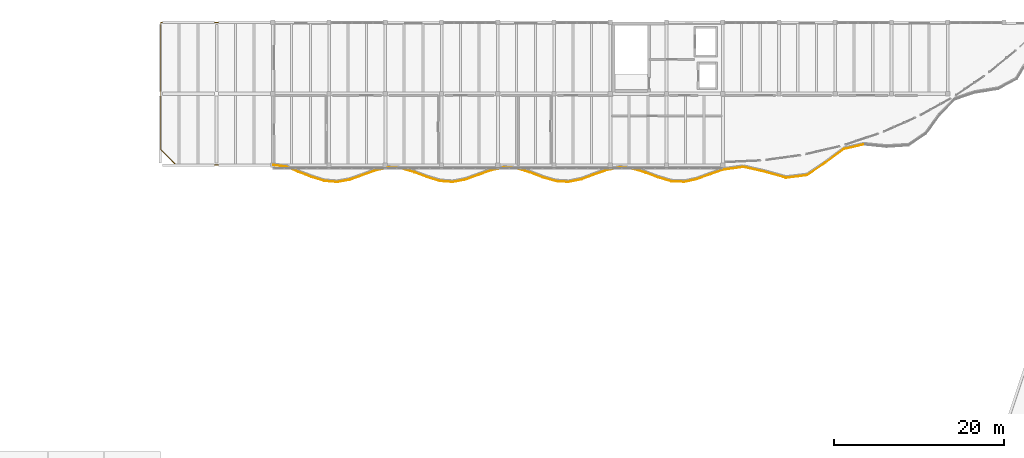
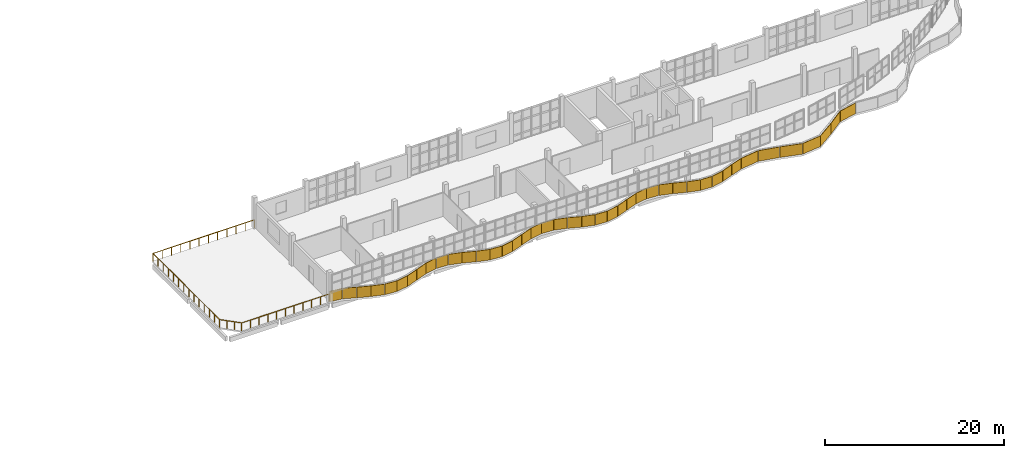
# One storey, part 44 of 47: 42 coverings, 1 railing.
"""IFC4 building model written with IfcOpenShell, lengths in metres."""

from ifc_helpers import new_model, si_unit, direction, frame, origin, origin_2d, place, context, subcontext, project, spatial, rectangle, circle, extrude, material, layer, layer_set, type_object, element, save


model = new_model("IFC4")

# Units and contexts
model_context = context("Model", 3, precision=1e-05, world=origin(), true_north=direction((0.0, 1.0)))
body_context = subcontext(model_context, "Body", "Model", "MODEL_VIEW")
ifc_project = project(units=[si_unit("LENGTHUNIT", "METRE"), si_unit("AREAUNIT", "SQUARE_METRE"), si_unit("VOLUMEUNIT", "CUBIC_METRE"), si_unit("PLANEANGLEUNIT", "RADIAN"), si_unit("MASSUNIT", "GRAM", prefix="KILO")], contexts=[model_context])

# Site, building, storey
site_placement = place(None, origin())
site = spatial("IfcSite", under=ifc_project, at=site_placement, CompositionType="ELEMENT")
building_placement = place(site_placement, origin())
building = spatial("IfcBuilding", under=site, at=building_placement, Name="Qaldarim Faculty of Natural and Applied Sciences", CompositionType="ELEMENT")
storey_placement = place(building_placement, frame((0.0, 0.0, 22.800048828125)))
storey = spatial("IfcBuildingStorey", under=building, at=storey_placement, Name="L05", CompositionType="ELEMENT", Elevation=22.800048828125)

# Railing
ifc_material_1 = material(Name="Architectural stainless steel 316", Category="steel")
railing_type = type_object("IfcRailingType", Name="ExteriorGuardBalustrade-1100", PredefinedType="BALUSTRADE", material=ifc_material_1)
railing_placement = place(storey_placement, frame((59.35009765625, 100.85009765625, 0.0)))
element("IfcRailing", 1, at=railing_placement, inside=storey, type_object=railing_type, Name="Safety guard balustrade GRD-TER-L05-V4S", PredefinedType="BALUSTRADE", context=body_context, shape_type="SweptSolid", body=[
    extrude(circle(Radius=0.02392578125, at=origin_2d()), frame((-0.00390625, 0.0, 1.076171875), z_axis=(-1.0, 0.0, 0.0), x_axis=(0.0, -1.0, 0.0)), (0.0, 0.0, 1.0), 11.2919921875),
    extrude(circle(Radius=0.02392578125, at=origin_2d()), frame((-11.302978515625, 0.0029296875, 1.076171875), z_axis=(-0.707154735259, 0.707058823862, 0.0), x_axis=(-0.707058823862, -0.707154735259, 0.0)), (0.0, 0.0, 1.0), 2.53759765625),
    extrude(circle(Radius=0.02392578125, at=origin_2d()), frame((-13.10009765625, 1.8037109375, 1.076171875), z_axis=(0.0, 1.0, 0.0), x_axis=(-1.0, 0.0, 0.0)), (0.0, 0.0, 1.0), 14.89208984375),
    extrude(circle(Radius=0.02392578125, at=origin_2d()), frame((-13.09619140625, 16.699951171875, 1.076171875), z_axis=(1.0, 0.0, 0.0), x_axis=(0.0, 1.0, 0.0)), (0.0, 0.0, 1.0), 13.092041015625),
    extrude(circle(Radius=0.02099609375, at=origin_2d()), origin(), (0.0, 0.0, 1.0), 1.052001953125),
    extrude(circle(Radius=0.02099609375, at=origin_2d()), frame((-1.1298828125, 0.0, 0.0)), (0.0, 0.0, 1.0), 1.052001953125),
    extrude(circle(Radius=0.02099609375, at=origin_2d()), frame((-2.260009765625, 0.0, 0.0)), (0.0, 0.0, 1.0), 1.052001953125),
    extrude(circle(Radius=0.02099609375, at=origin_2d()), frame((-3.39013671875, 0.0, 0.0)), (0.0, 0.0, 1.0), 1.052001953125),
    extrude(circle(Radius=0.02099609375, at=origin_2d()), frame((-4.52001953125, 0.0, 0.0)), (0.0, 0.0, 1.0), 1.052001953125),
    extrude(circle(Radius=0.02099609375, at=origin_2d()), frame((-5.64990234375, 0.0, 0.0)), (0.0, 0.0, 1.0), 1.052001953125),
    extrude(circle(Radius=0.02099609375, at=origin_2d()), frame((-6.780029296875, 0.0, 0.0)), (0.0, 0.0, 1.0), 1.052001953125),
    extrude(circle(Radius=0.02099609375, at=origin_2d()), frame((-7.909912109375, 0.0, 0.0)), (0.0, 0.0, 1.0), 1.052001953125),
    extrude(circle(Radius=0.02099609375, at=origin_2d()), frame((-9.0400390625, 0.0, 0.0)), (0.0, 0.0, 1.0), 1.052001953125),
    extrude(circle(Radius=0.02099609375, at=origin_2d()), frame((-10.169921875, 0.0, 0.0)), (0.0, 0.0, 1.0), 1.052001953125),
    extrude(circle(Radius=0.02099609375, at=origin_2d()), frame((-11.300048828125, 0.0, 0.0)), (0.0, 0.0, 1.0), 1.052001953125),
    extrude(circle(Radius=0.02099609375, at=origin_2d()), frame((-11.900146484375, 0.599853515625, 0.0)), (0.0, 0.0, 1.0), 1.052001953125),
    extrude(circle(Radius=0.02099609375, at=origin_2d()), frame((-12.5, 1.199951171875, 0.0)), (0.0, 0.0, 1.0), 1.052001953125),
    extrude(circle(Radius=0.02099609375, at=origin_2d()), frame((-13.10009765625, 1.7998046875, 0.0)), (0.0, 0.0, 1.0), 1.052001953125),
    extrude(circle(Radius=0.02099609375, at=origin_2d()), frame((-13.10009765625, 2.946044921875, 0.0)), (0.0, 0.0, 1.0), 1.052001953125),
    extrude(circle(Radius=0.02099609375, at=origin_2d()), frame((-13.10009765625, 4.092041015625, 0.0)), (0.0, 0.0, 1.0), 1.052001953125),
    extrude(circle(Radius=0.02099609375, at=origin_2d()), frame((-13.10009765625, 5.23828125, 0.0)), (0.0, 0.0, 1.0), 1.052001953125),
    extrude(circle(Radius=0.02099609375, at=origin_2d()), frame((-13.10009765625, 6.384521484375, 0.0)), (0.0, 0.0, 1.0), 1.052001953125),
    extrude(circle(Radius=0.02099609375, at=origin_2d()), frame((-13.10009765625, 7.530517578125, 0.0)), (0.0, 0.0, 1.0), 1.052001953125),
    extrude(circle(Radius=0.02099609375, at=origin_2d()), frame((-13.10009765625, 8.6767578125, 0.0)), (0.0, 0.0, 1.0), 1.052001953125),
    extrude(circle(Radius=0.02099609375, at=origin_2d()), frame((-13.10009765625, 9.822998046875, 0.0)), (0.0, 0.0, 1.0), 1.052001953125),
    extrude(circle(Radius=0.02099609375, at=origin_2d()), frame((-13.10009765625, 10.96923828125, 0.0)), (0.0, 0.0, 1.0), 1.052001953125),
    extrude(circle(Radius=0.02099609375, at=origin_2d()), frame((-13.10009765625, 12.115234375, 0.0)), (0.0, 0.0, 1.0), 1.052001953125),
    extrude(circle(Radius=0.02099609375, at=origin_2d()), frame((-13.10009765625, 13.261474609375, 0.0)), (0.0, 0.0, 1.0), 1.052001953125),
    extrude(circle(Radius=0.02099609375, at=origin_2d()), frame((-13.10009765625, 14.40771484375, 0.0)), (0.0, 0.0, 1.0), 1.052001953125),
    extrude(circle(Radius=0.02099609375, at=origin_2d()), frame((-13.10009765625, 15.5537109375, 0.0)), (0.0, 0.0, 1.0), 1.052001953125),
    extrude(circle(Radius=0.02099609375, at=origin_2d()), frame((-13.10009765625, 16.699951171875, 0.0)), (0.0, 0.0, 1.0), 1.052001953125),
    extrude(circle(Radius=0.02099609375, at=origin_2d()), frame((-11.9091796875, 16.699951171875, 0.0)), (0.0, 0.0, 1.0), 1.052001953125),
    extrude(circle(Radius=0.02099609375, at=origin_2d()), frame((-10.71826171875, 16.699951171875, 0.0)), (0.0, 0.0, 1.0), 1.052001953125),
    extrude(circle(Radius=0.02099609375, at=origin_2d()), frame((-9.52734375, 16.699951171875, 0.0)), (0.0, 0.0, 1.0), 1.052001953125),
    extrude(circle(Radius=0.02099609375, at=origin_2d()), frame((-8.33642578125, 16.699951171875, 0.0)), (0.0, 0.0, 1.0), 1.052001953125),
    extrude(circle(Radius=0.02099609375, at=origin_2d()), frame((-7.1455078125, 16.699951171875, 0.0)), (0.0, 0.0, 1.0), 1.052001953125),
    extrude(circle(Radius=0.02099609375, at=origin_2d()), frame((-5.95458984375, 16.699951171875, 0.0)), (0.0, 0.0, 1.0), 1.052001953125),
    extrude(circle(Radius=0.02099609375, at=origin_2d()), frame((-4.763671875, 16.699951171875, 0.0)), (0.0, 0.0, 1.0), 1.052001953125),
    extrude(circle(Radius=0.02099609375, at=origin_2d()), frame((-3.57275390625, 16.699951171875, 0.0)), (0.0, 0.0, 1.0), 1.052001953125),
    extrude(circle(Radius=0.02099609375, at=origin_2d()), frame((-2.3818359375, 16.699951171875, 0.0)), (0.0, 0.0, 1.0), 1.052001953125),
    extrude(circle(Radius=0.02099609375, at=origin_2d()), frame((-1.19091796875, 16.699951171875, 0.0)), (0.0, 0.0, 1.0), 1.052001953125),
    extrude(circle(Radius=0.02099609375, at=origin_2d()), frame((0.0, 16.699951171875, 0.0)), (0.0, 0.0, 1.0), 1.052001953125),
])

# Coverings
ifc_material_2 = material(Name="White architectural precast concrete C40/50", Category="concrete")
ifc_layer = layer(ifc_material_2, 0.06005859375)
ifc_layer_set = layer_set([ifc_layer], Name="White architectural precast concrete C40/50")
covering_type = type_object("IfcCoveringType", Name="LimestoneSpandrelCladding-60", PredefinedType="CLADDING", material=ifc_layer_set)
covering_1_placement = place(storey_placement, frame((60.159912109375, 100.735107421875, 0.0), z_axis=(0.0, 0.0, 1.0), x_axis=(0.991765308043, -0.12806862911, 0.0)))
element("IfcCovering", 2, at=covering_1_placement, inside=storey, type_object=covering_type, Name="White limestone wave band fascia L05 chord 01", PredefinedType="CLADDING", context=body_context, shape_type="SweptSolid", body=[
    extrude(rectangle(XDim=1.485107421875, YDim=0.06005859375, at=origin_2d()), origin(), (0.0, 0.0, 1.0), 1.449951171875),
])
covering_2_placement = place(storey_placement, frame((61.675048828125, 100.324951171875, 0.0), z_axis=(0.0, 0.0, 1.0), x_axis=(0.924612528858, -0.380909006823, 0.0)))
element("IfcCovering", 3, at=covering_2_placement, inside=storey, type_object=covering_type, Name="White limestone wave band fascia L05 chord 02", PredefinedType="CLADDING", context=body_context, shape_type="SweptSolid", body=[
    extrude(rectangle(XDim=1.590087890625, YDim=0.06005859375, at=origin_2d()), origin(), (0.0, 0.0, 1.0), 1.449951171875),
])
covering_3_placement = place(storey_placement, frame((63.179931640625, 99.719970703125, 0.0), z_axis=(0.0, 0.0, 1.0), x_axis=(0.933505349614, -0.358563470311, 0.0)))
element("IfcCovering", 4, at=covering_3_placement, inside=storey, type_object=covering_type, Name="White limestone wave band fascia L05 chord 03", PredefinedType="CLADDING", context=body_context, shape_type="SweptSolid", body=[
    extrude(rectangle(XDim=1.580078125, YDim=0.06005859375, at=origin_2d()), origin(), (0.0, 0.0, 1.0), 1.449951171875),
])
covering_4_placement = place(storey_placement, frame((64.68505859375, 99.199951171875, 0.0), z_axis=(0.0, 0.0, 1.0), x_axis=(0.954817873784, -0.297191567684, 0.0)))
element("IfcCovering", 5, at=covering_4_placement, inside=storey, type_object=covering_type, Name="White limestone wave band fascia L05 chord 04", PredefinedType="CLADDING", context=body_context, shape_type="SweptSolid", body=[
    extrude(rectangle(XDim=1.5400390625, YDim=0.06005859375, at=origin_2d()), origin(), (0.0, 0.0, 1.0), 1.449951171875),
])
covering_5_placement = place(storey_placement, frame((66.18994140625, 98.89990234375, 0.0), z_axis=(0.0, 0.0, 1.0), x_axis=(0.996313922331, -0.085782097016, 0.0)))
element("IfcCovering", 6, at=covering_5_placement, inside=storey, type_object=covering_type, Name="White limestone wave band fascia L05 chord 05", PredefinedType="CLADDING", context=body_context, shape_type="SweptSolid", body=[
    extrude(rectangle(XDim=1.47509765625, YDim=0.06005859375, at=origin_2d()), origin(), (0.0, 0.0, 1.0), 1.449951171875),
])
covering_6_placement = place(storey_placement, frame((67.68994140625, 98.969970703125, 0.0), z_axis=(0.0, 0.0, 1.0), x_axis=(0.98428511254, 0.176586571496, 0.0)))
element("IfcCovering", 7, at=covering_6_placement, inside=storey, type_object=covering_type, Name="White limestone wave band fascia L05 chord 06", PredefinedType="CLADDING", context=body_context, shape_type="SweptSolid", body=[
    extrude(rectangle(XDim=1.489990234375, YDim=0.06005859375, at=origin_2d()), origin(), (0.0, 0.0, 1.0), 1.449951171875),
])
covering_7_placement = place(storey_placement, frame((69.195068359375, 99.3701171875, 0.0), z_axis=(0.0, 0.0, 1.0), x_axis=(0.941599910693, 0.336733734844, 0.0)))
element("IfcCovering", 8, at=covering_7_placement, inside=storey, type_object=covering_type, Name="White limestone wave band fascia L05 chord 07", PredefinedType="CLADDING", context=body_context, shape_type="SweptSolid", body=[
    extrude(rectangle(XDim=1.56494140625, YDim=0.06005859375, at=origin_2d()), origin(), (0.0, 0.0, 1.0), 1.449951171875),
])
covering_8_placement = place(storey_placement, frame((70.705078125, 99.919921875, 0.0), z_axis=(0.0, 0.0, 1.0), x_axis=(0.937597957391, 0.347721253731, 0.0)))
element("IfcCovering", 9, at=covering_8_placement, inside=storey, type_object=covering_type, Name="White limestone wave band fascia L05 chord 08", PredefinedType="CLADDING", context=body_context, shape_type="SweptSolid", body=[
    extrude(rectangle(XDim=1.570068359375, YDim=0.06005859375, at=origin_2d()), origin(), (0.0, 0.0, 1.0), 1.449951171875),
])
covering_9_placement = place(storey_placement, frame((72.215087890625, 100.35498046875, 0.0), z_axis=(0.0, 0.0, 1.0), x_axis=(0.980077519238, 0.198615347553, 0.0)))
element("IfcCovering", 10, at=covering_9_placement, inside=storey, type_object=covering_type, Name="White limestone wave band fascia L05 chord 09", PredefinedType="CLADDING", context=body_context, shape_type="SweptSolid", body=[
    extrude(rectangle(XDim=1.4951171875, YDim=0.06005859375, at=origin_2d()), origin(), (0.0, 0.0, 1.0), 1.449951171875),
])
covering_10_placement = place(storey_placement, frame((73.735107421875, 100.469970703125, 0.0), z_axis=(0.0, 0.0, 1.0), x_axis=(0.998419256661, -0.056204874601, 0.0)))
element("IfcCovering", 11, at=covering_10_placement, inside=storey, type_object=covering_type, Name="White limestone wave band fascia L05 chord 10", PredefinedType="CLADDING", context=body_context, shape_type="SweptSolid", body=[
    extrude(rectangle(XDim=1.469970703125, YDim=0.06005859375, at=origin_2d()), origin(), (0.0, 0.0, 1.0), 1.449951171875),
])
covering_11_placement = place(storey_placement, frame((75.25, 100.205078125, 0.0), z_axis=(0.0, 0.0, 1.0), x_axis=(0.960919392643, -0.276828323772, 0.0)))
element("IfcCovering", 12, at=covering_11_placement, inside=storey, type_object=covering_type, Name="White limestone wave band fascia L05 chord 11", PredefinedType="CLADDING", context=body_context, shape_type="SweptSolid", body=[
    extrude(rectangle(XDim=1.530029296875, YDim=0.06005859375, at=origin_2d()), origin(), (0.0, 0.0, 1.0), 1.449951171875),
])
covering_12_placement = place(storey_placement, frame((76.760009765625, 99.695068359375, 0.0), z_axis=(0.0, 0.0, 1.0), x_axis=(0.932468891499, -0.361250282195, 0.0)))
element("IfcCovering", 13, at=covering_12_placement, inside=storey, type_object=covering_type, Name="White limestone wave band fascia L05 chord 12", PredefinedType="CLADDING", context=body_context, shape_type="SweptSolid", body=[
    extrude(rectangle(XDim=1.580078125, YDim=0.06005859375, at=origin_2d()), origin(), (0.0, 0.0, 1.0), 1.449951171875),
])
covering_13_placement = place(storey_placement, frame((78.264892578125, 99.175048828125, 0.0), z_axis=(0.0, 0.0, 1.0), x_axis=(0.957213497547, -0.289382653445, 0.0)))
element("IfcCovering", 14, at=covering_13_placement, inside=storey, type_object=covering_type, Name="White limestone wave band fascia L05 chord 13", PredefinedType="CLADDING", context=body_context, shape_type="SweptSolid", body=[
    extrude(rectangle(XDim=1.530029296875, YDim=0.06005859375, at=origin_2d()), origin(), (0.0, 0.0, 1.0), 1.449951171875),
])
covering_14_placement = place(storey_placement, frame((79.764892578125, 98.89501953125, 0.0), z_axis=(0.0, 0.0, 1.0), x_axis=(0.997356493977, -0.072663773109, 0.0)))
element("IfcCovering", 15, at=covering_14_placement, inside=storey, type_object=covering_type, Name="White limestone wave band fascia L05 chord 14", PredefinedType="CLADDING", context=body_context, shape_type="SweptSolid", body=[
    extrude(rectangle(XDim=1.47509765625, YDim=0.06005859375, at=origin_2d()), origin(), (0.0, 0.0, 1.0), 1.449951171875),
])
covering_15_placement = place(storey_placement, frame((81.27001953125, 98.97998046875, 0.0), z_axis=(0.0, 0.0, 1.0), x_axis=(0.982054296716, 0.188598404823, 0.0)))
element("IfcCovering", 16, at=covering_15_placement, inside=storey, type_object=covering_type, Name="White limestone wave band fascia L05 chord 15", PredefinedType="CLADDING", context=body_context, shape_type="SweptSolid", body=[
    extrude(rectangle(XDim=1.5, YDim=0.06005859375, at=origin_2d()), origin(), (0.0, 0.0, 1.0), 1.449951171875),
])
covering_16_placement = place(storey_placement, frame((82.77001953125, 99.39990234375, 0.0), z_axis=(0.0, 0.0, 1.0), x_axis=(0.940246534786, 0.340494425539, 0.0)))
element("IfcCovering", 17, at=covering_16_placement, inside=storey, type_object=covering_type, Name="White limestone wave band fascia L05 chord 16", PredefinedType="CLADDING", context=body_context, shape_type="SweptSolid", body=[
    extrude(rectangle(XDim=1.56005859375, YDim=0.06005859375, at=origin_2d()), origin(), (0.0, 0.0, 1.0), 1.449951171875),
])
covering_17_placement = place(storey_placement, frame((84.280029296875, 99.945068359375, 0.0), z_axis=(0.0, 0.0, 1.0), x_axis=(0.939609021448, 0.342249743336, 0.0)))
element("IfcCovering", 18, at=covering_17_placement, inside=storey, type_object=covering_type, Name="White limestone wave band fascia L05 chord 17", PredefinedType="CLADDING", context=body_context, shape_type="SweptSolid", body=[
    extrude(rectangle(XDim=1.56494140625, YDim=0.06005859375, at=origin_2d()), origin(), (0.0, 0.0, 1.0), 1.449951171875),
])
covering_18_placement = place(storey_placement, frame((85.794921875, 100.3701171875, 0.0), z_axis=(0.0, 0.0, 1.0), x_axis=(0.981446914261, 0.19173407232, 0.0)))
element("IfcCovering", 19, at=covering_18_placement, inside=storey, type_object=covering_type, Name="White limestone wave band fascia L05 chord 18", PredefinedType="CLADDING", context=body_context, shape_type="SweptSolid", body=[
    extrude(rectangle(XDim=1.5, YDim=0.06005859375, at=origin_2d()), origin(), (0.0, 0.0, 1.0), 1.449951171875),
])
covering_19_placement = place(storey_placement, frame((87.31005859375, 100.465087890625, 0.0), z_axis=(0.0, 0.0, 1.0), x_axis=(0.997356493977, -0.072663773109, 0.0)))
element("IfcCovering", 20, at=covering_19_placement, inside=storey, type_object=covering_type, Name="White limestone wave band fascia L05 chord 19", PredefinedType="CLADDING", context=body_context, shape_type="SweptSolid", body=[
    extrude(rectangle(XDim=1.47509765625, YDim=0.06005859375, at=origin_2d()), origin(), (0.0, 0.0, 1.0), 1.449951171875),
])
covering_20_placement = place(storey_placement, frame((88.824951171875, 100.18505859375, 0.0), z_axis=(0.0, 0.0, 1.0), x_axis=(0.95808790054, -0.286474387755, 0.0)))
element("IfcCovering", 21, at=covering_20_placement, inside=storey, type_object=covering_type, Name="White limestone wave band fascia L05 chord 20", PredefinedType="CLADDING", context=body_context, shape_type="SweptSolid", body=[
    extrude(rectangle(XDim=1.530029296875, YDim=0.06005859375, at=origin_2d()), origin(), (0.0, 0.0, 1.0), 1.449951171875),
])
covering_21_placement = place(storey_placement, frame((90.3349609375, 99.6650390625, 0.0), z_axis=(0.0, 0.0, 1.0), x_axis=(0.932468891499, -0.361250282195, 0.0)))
element("IfcCovering", 22, at=covering_21_placement, inside=storey, type_object=covering_type, Name="White limestone wave band fascia L05 chord 21", PredefinedType="CLADDING", context=body_context, shape_type="SweptSolid", body=[
    extrude(rectangle(XDim=1.580078125, YDim=0.06005859375, at=origin_2d()), origin(), (0.0, 0.0, 1.0), 1.449951171875),
])
covering_22_placement = place(storey_placement, frame((91.844970703125, 99.155029296875, 0.0), z_axis=(0.0, 0.0, 1.0), x_axis=(0.960069387797, -0.279761989225, 0.0)))
element("IfcCovering", 23, at=covering_22_placement, inside=storey, type_object=covering_type, Name="White limestone wave band fascia L05 chord 22", PredefinedType="CLADDING", context=body_context, shape_type="SweptSolid", body=[
    extrude(rectangle(XDim=1.534912109375, YDim=0.06005859375, at=origin_2d()), origin(), (0.0, 0.0, 1.0), 1.449951171875),
])
covering_23_placement = place(storey_placement, frame((93.344970703125, 98.889892578125, 0.0), z_axis=(0.0, 0.0, 1.0), x_axis=(0.998216982324, -0.059689665773, 0.0)))
element("IfcCovering", 24, at=covering_23_placement, inside=storey, type_object=covering_type, Name="White limestone wave band fascia L05 chord 23", PredefinedType="CLADDING", context=body_context, shape_type="SweptSolid", body=[
    extrude(rectangle(XDim=1.469970703125, YDim=0.06005859375, at=origin_2d()), origin(), (0.0, 0.0, 1.0), 1.449951171875),
])
covering_24_placement = place(storey_placement, frame((94.840087890625, 98.9951171875, 0.0), z_axis=(0.0, 0.0, 1.0), x_axis=(0.980205575068, 0.197982399737, 0.0)))
element("IfcCovering", 25, at=covering_24_placement, inside=storey, type_object=covering_type, Name="White limestone wave band fascia L05 chord 24", PredefinedType="CLADDING", context=body_context, shape_type="SweptSolid", body=[
    extrude(rectangle(XDim=1.5, YDim=0.06005859375, at=origin_2d()), origin(), (0.0, 0.0, 1.0), 1.449951171875),
])
covering_25_placement = place(storey_placement, frame((96.35009765625, 99.425048828125, 0.0), z_axis=(0.0, 0.0, 1.0), x_axis=(0.937597957391, 0.347721253731, 0.0)))
element("IfcCovering", 26, at=covering_25_placement, inside=storey, type_object=covering_type, Name="White limestone wave band fascia L05 chord 25", PredefinedType="CLADDING", context=body_context, shape_type="SweptSolid", body=[
    extrude(rectangle(XDim=1.570068359375, YDim=0.06005859375, at=origin_2d()), origin(), (0.0, 0.0, 1.0), 1.449951171875),
])
covering_26_placement = place(storey_placement, frame((97.860107421875, 99.97509765625, 0.0), z_axis=(0.0, 0.0, 1.0), x_axis=(0.941599910693, 0.336733734844, 0.0)))
element("IfcCovering", 27, at=covering_26_placement, inside=storey, type_object=covering_type, Name="White limestone wave band fascia L05 chord 26", PredefinedType="CLADDING", context=body_context, shape_type="SweptSolid", body=[
    extrude(rectangle(XDim=1.56494140625, YDim=0.06005859375, at=origin_2d()), origin(), (0.0, 0.0, 1.0), 1.449951171875),
])
covering_27_placement = place(storey_placement, frame((99.3701171875, 100.385009765625, 0.0), z_axis=(0.0, 0.0, 1.0), x_axis=(0.98428511254, 0.176586571496, 0.0)))
element("IfcCovering", 28, at=covering_27_placement, inside=storey, type_object=covering_type, Name="White limestone wave band fascia L05 chord 27", PredefinedType="CLADDING", context=body_context, shape_type="SweptSolid", body=[
    extrude(rectangle(XDim=1.489990234375, YDim=0.06005859375, at=origin_2d()), origin(), (0.0, 0.0, 1.0), 1.449951171875),
])
covering_28_placement = place(storey_placement, frame((100.885009765625, 100.4599609375, 0.0), z_axis=(0.0, 0.0, 1.0), x_axis=(0.996591468284, -0.082495123145, 0.0)))
element("IfcCovering", 29, at=covering_28_placement, inside=storey, type_object=covering_type, Name="White limestone wave band fascia L05 chord 28", PredefinedType="CLADDING", context=body_context, shape_type="SweptSolid", body=[
    extrude(rectangle(XDim=1.47509765625, YDim=0.06005859375, at=origin_2d()), origin(), (0.0, 0.0, 1.0), 1.449951171875),
])
covering_29_placement = place(storey_placement, frame((102.405029296875, 100.159912109375, 0.0), z_axis=(0.0, 0.0, 1.0), x_axis=(0.955710865983, -0.294307221525, 0.0)))
element("IfcCovering", 30, at=covering_29_placement, inside=storey, type_object=covering_type, Name="White limestone wave band fascia L05 chord 29", PredefinedType="CLADDING", context=body_context, shape_type="SweptSolid", body=[
    extrude(rectangle(XDim=1.5400390625, YDim=0.06005859375, at=origin_2d()), origin(), (0.0, 0.0, 1.0), 1.449951171875),
])
covering_30_placement = place(storey_placement, frame((103.9150390625, 99.635009765625, 0.0), z_axis=(0.0, 0.0, 1.0), x_axis=(0.933104248084, -0.359605981886, 0.0)))
element("IfcCovering", 31, at=covering_30_placement, inside=storey, type_object=covering_type, Name="White limestone wave band fascia L05 chord 30", PredefinedType="CLADDING", context=body_context, shape_type="SweptSolid", body=[
    extrude(rectangle(XDim=1.574951171875, YDim=0.06005859375, at=origin_2d()), origin(), (0.0, 0.0, 1.0), 1.449951171875),
])
covering_31_placement = place(storey_placement, frame((105.419921875, 99.135009765625, 0.0), z_axis=(0.0, 0.0, 1.0), x_axis=(0.961765213339, -0.273875289887, 0.0)))
element("IfcCovering", 32, at=covering_31_placement, inside=storey, type_object=covering_type, Name="White limestone wave band fascia L05 chord 31", PredefinedType="CLADDING", context=body_context, shape_type="SweptSolid", body=[
    extrude(rectangle(XDim=1.530029296875, YDim=0.06005859375, at=origin_2d()), origin(), (0.0, 0.0, 1.0), 1.449951171875),
])
covering_32_placement = place(storey_placement, frame((106.919921875, 98.889892578125, 0.0), z_axis=(0.0, 0.0, 1.0), x_axis=(0.999074680747, -0.043009095435, 0.0)))
element("IfcCovering", 33, at=covering_32_placement, inside=storey, type_object=covering_type, Name="White limestone wave band fascia L05 chord 32", PredefinedType="CLADDING", context=body_context, shape_type="SweptSolid", body=[
    extrude(rectangle(XDim=1.469970703125, YDim=0.06005859375, at=origin_2d()), origin(), (0.0, 0.0, 1.0), 1.449951171875),
])
covering_33_placement = place(storey_placement, frame((108.425048828125, 99.010009765625, 0.0), z_axis=(0.0, 0.0, 1.0), x_axis=(0.978274424249, 0.207314135696, 0.0)))
element("IfcCovering", 34, at=covering_33_placement, inside=storey, type_object=covering_type, Name="White limestone wave band fascia L05 chord 33", PredefinedType="CLADDING", context=body_context, shape_type="SweptSolid", body=[
    extrude(rectangle(XDim=1.5048828125, YDim=0.06005859375, at=origin_2d()), origin(), (0.0, 0.0, 1.0), 1.449951171875),
])
covering_34_placement = place(storey_placement, frame((109.925048828125, 99.455078125, 0.0), z_axis=(0.0, 0.0, 1.0), x_axis=(0.936200698605, 0.351465861686, 0.0)))
element("IfcCovering", 35, at=covering_34_placement, inside=storey, type_object=covering_type, Name="White limestone wave band fascia L05 chord 34", PredefinedType="CLADDING", context=body_context, shape_type="SweptSolid", body=[
    extrude(rectangle(XDim=1.570068359375, YDim=0.06005859375, at=origin_2d()), origin(), (0.0, 0.0, 1.0), 1.449951171875),
])
covering_35_placement = place(storey_placement, frame((111.43505859375, 100.0, 0.0), z_axis=(0.0, 0.0, 1.0), x_axis=(0.943564198822, 0.331189677831, 0.0)))
element("IfcCovering", 36, at=covering_35_placement, inside=storey, type_object=covering_type, Name="White limestone wave band fascia L05 chord 35", PredefinedType="CLADDING", context=body_context, shape_type="SweptSolid", body=[
    extrude(rectangle(XDim=1.56005859375, YDim=0.06005859375, at=origin_2d()), origin(), (0.0, 0.0, 1.0), 1.449951171875),
])
covering_36_placement = place(storey_placement, frame((113.39501953125, 100.43994140625, 0.0), z_axis=(0.0, 0.0, 1.0), x_axis=(0.990114441325, 0.14026187322, 0.0)))
element("IfcCovering", 37, at=covering_36_placement, inside=storey, type_object=covering_type, Name="White limestone wave band fascia L05 chord 36", PredefinedType="CLADDING", context=body_context, shape_type="SweptSolid", body=[
    extrude(rectangle(XDim=2.385009765625, YDim=0.06005859375, at=origin_2d()), origin(), (0.0, 0.0, 1.0), 1.449951171875),
])
covering_37_placement = place(storey_placement, frame((115.840087890625, 100.330078125, 0.0), z_axis=(0.0, 0.0, 1.0), x_axis=(0.975153220908, -0.221531478019, 0.0)))
element("IfcCovering", 38, at=covering_37_placement, inside=storey, type_object=covering_type, Name="White limestone wave band fascia L05 chord 37", PredefinedType="CLADDING", context=body_context, shape_type="SweptSolid", body=[
    extrude(rectangle(XDim=2.489990234375, YDim=0.06005859375, at=origin_2d()), origin(), (0.0, 0.0, 1.0), 1.449951171875),
])
covering_38_placement = place(storey_placement, frame((118.35498046875, 99.68994140625, 0.0), z_axis=(0.0, 0.0, 1.0), x_axis=(0.963139095449, -0.269003871381, 0.0)))
element("IfcCovering", 39, at=covering_38_placement, inside=storey, type_object=covering_type, Name="White limestone wave band fascia L05 chord 38", PredefinedType="CLADDING", context=body_context, shape_type="SweptSolid", body=[
    extrude(rectangle(XDim=2.6201171875, YDim=0.06005859375, at=origin_2d()), origin(), (0.0, 0.0, 1.0), 1.449951171875),
])
covering_39_placement = place(storey_placement, frame((120.85498046875, 99.485107421875, 0.0), z_axis=(0.0, 0.0, 1.0), x_axis=(0.9926753374, 0.120812559439, 0.0)))
element("IfcCovering", 40, at=covering_39_placement, inside=storey, type_object=covering_type, Name="White limestone wave band fascia L05 chord 39", PredefinedType="CLADDING", context=body_context, shape_type="SweptSolid", body=[
    extrude(rectangle(XDim=2.445068359375, YDim=0.06005859375, at=origin_2d()), origin(), (0.0, 0.0, 1.0), 1.449951171875),
])
covering_40_placement = place(storey_placement, frame((123.175048828125, 100.375, 0.0), z_axis=(0.0, 0.0, 1.0), x_axis=(0.827698117123, 0.561173615659, 0.0)))
element("IfcCovering", 41, at=covering_40_placement, inside=storey, type_object=covering_type, Name="White limestone wave band fascia L05 chord 40", PredefinedType="CLADDING", context=body_context, shape_type="SweptSolid", body=[
    extrude(rectangle(XDim=2.625, YDim=0.06005859375, at=origin_2d()), origin(), (0.0, 0.0, 1.0), 1.449951171875),
])
covering_41_placement = place(storey_placement, frame((125.320068359375, 101.905029296875, 0.0), z_axis=(0.0, 0.0, 1.0), x_axis=(0.799537924278, 0.600615607224, 0.0)))
element("IfcCovering", 42, at=covering_41_placement, inside=storey, type_object=covering_type, Name="White limestone wave band fascia L05 chord 41", PredefinedType="CLADDING", context=body_context, shape_type="SweptSolid", body=[
    extrude(rectangle(XDim=2.574951171875, YDim=0.06005859375, at=origin_2d()), origin(), (0.0, 0.0, 1.0), 1.449951171875),
])
covering_42_placement = place(storey_placement, frame((127.550048828125, 102.969970703125, 0.0), z_axis=(0.0, 0.0, 1.0), x_axis=(0.974389691758, 0.224866023659, 0.0)))
element("IfcCovering", 43, at=covering_42_placement, inside=storey, type_object=covering_type, Name="White limestone wave band fascia L05 chord 42", PredefinedType="CLADDING", context=body_context, shape_type="SweptSolid", body=[
    extrude(rectangle(XDim=2.360107421875, YDim=0.06005859375, at=origin_2d()), origin(), (0.0, 0.0, 1.0), 1.449951171875),
])

save(model, "model.ifc")
